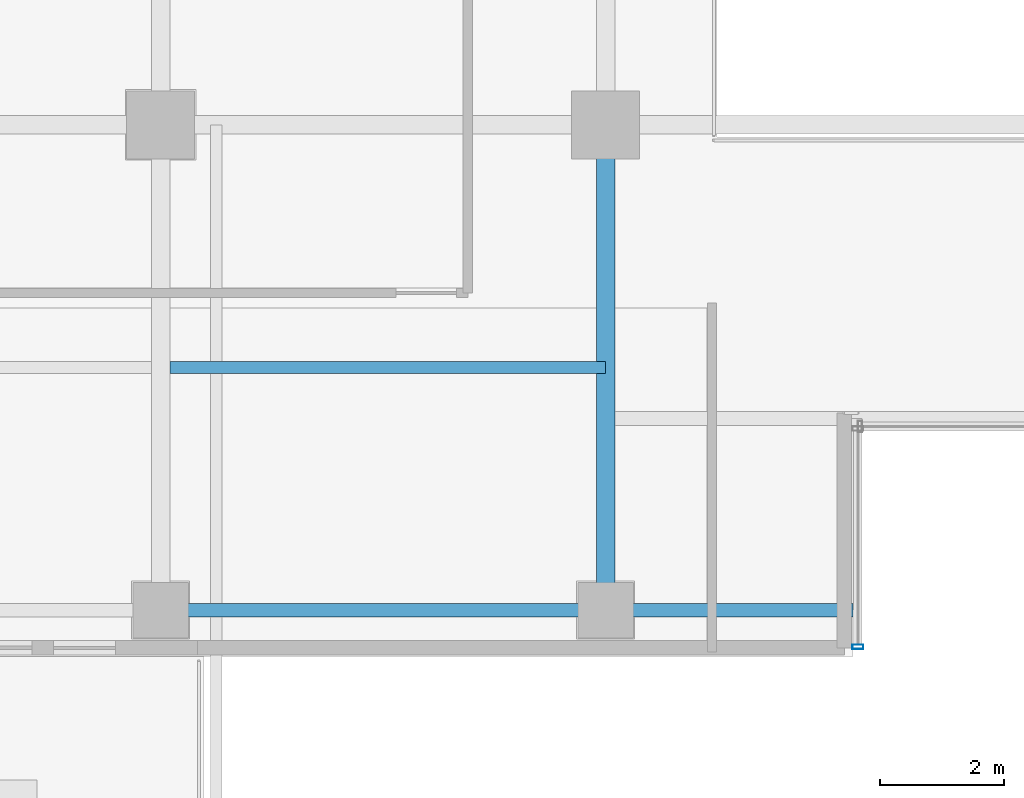
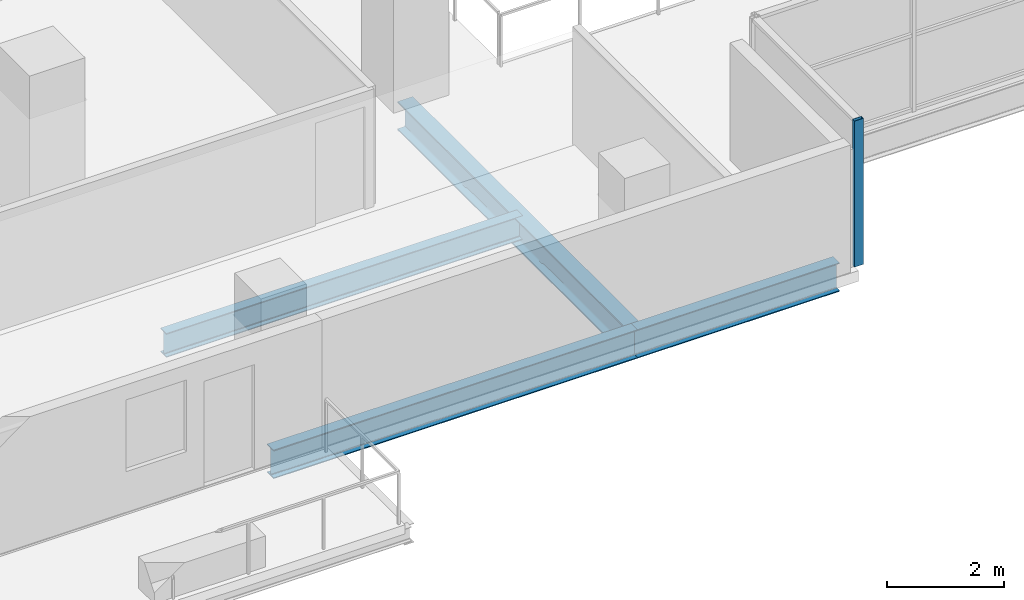
# One storey, part 5 of 28: 4 beams, 1 member, 1 element without a shape of its own.
"""IFC4 building model written with IfcOpenShell, lengths in metres."""

from ifc_helpers import new_model, si_unit, direction, frame, origin, origin_2d, place, context, subcontext, project, spatial, hollow_rectangle, i_section, extrude, source, transform, mapped, material, layer, layer_set, material_profile, profile_set, type_object, element, aggregate, save


model = new_model("IFC4")

# Units and contexts
model_context = context("Model", 3, precision=1e-05, world=origin(), true_north=direction((0.0, 1.0)))
body_context = subcontext(model_context, "Body", "Model", "MODEL_VIEW")
ifc_project = project(units=[si_unit("LENGTHUNIT", "METRE"), si_unit("AREAUNIT", "SQUARE_METRE"), si_unit("VOLUMEUNIT", "CUBIC_METRE"), si_unit("PLANEANGLEUNIT", "RADIAN"), si_unit("MASSUNIT", "GRAM", prefix="KILO")], contexts=[model_context])

# Site, building, storey
site_placement = place(None, origin())
site = spatial("IfcSite", under=ifc_project, at=site_placement, CompositionType="ELEMENT")
building_placement = place(site_placement, origin())
building = spatial("IfcBuilding", under=site, at=building_placement, Name="Zarnakvel Exchange Tower", CompositionType="ELEMENT")
storey_placement = place(building_placement, frame((0.0, 0.0, 57.10009765625)))
storey = spatial("IfcBuildingStorey", under=building, at=storey_placement, Name="L15", CompositionType="ELEMENT", Elevation=57.10009765625)

# Beams
ifc_material_1 = material(Name="Steel S355", Category="steel")
ifc_material_profile_1 = material_profile(ifc_material_1, i_section(OverallWidth=0.199951171875, OverallDepth=0.5, WebThickness=0.01025390625, FlangeThickness=0.01611328125, FilletRadius=0.02099609375, at=origin_2d()))
ifc_profile_set_1 = profile_set([ifc_material_profile_1], Name="Steel S355")
beam_type_1 = type_object("IfcBeamType", Name="B-04", PredefinedType="JOIST", material=ifc_profile_set_1)
beam_1_placement = place(storey_placement, frame((-14.25, -13.52490234375, -0.47509765625), z_axis=(1.0, 0.0, 0.0), x_axis=(0.0, 1.0, 0.0)))
element("IfcBeam", 1, at=beam_1_placement, inside=storey, type_object=beam_type_1, Name="L15 Composite Floor Secondary Joist", PredefinedType="JOIST", context=body_context, shape_type="SweptSolid", body=[
    extrude(i_section(OverallWidth=0.199951171875, OverallDepth=0.5, WebThickness=0.01025390625, FlangeThickness=0.01611328125, FilletRadius=0.02099609375, at=origin_2d()), origin(), (0.0, 0.0, 1.0), 7.050048828125),
])
ifc_material_profile_2 = material_profile(ifc_material_1, i_section(OverallWidth=0.300048828125, OverallDepth=0.60009765625, WebThickness=0.015380859375, FlangeThickness=0.030029296875, FilletRadius=0.027099609375, at=origin_2d()))
ifc_profile_set_2 = profile_set([ifc_material_profile_2], Name="Steel S355")
beam_type_2 = type_object("IfcBeamType", Name="G-04", PredefinedType="BEAM", material=ifc_profile_set_2)
beam_2_placement = place(storey_placement, frame((-7.199951171875, -17.449951171875, -0.525146484375), z_axis=(0.0, 1.0, 0.0), x_axis=(-1.0, 0.0, 0.0)))
element("IfcBeam", 2, at=beam_2_placement, inside=storey, type_object=beam_type_2, Name="L15 Tower N-S Frame Beam", PredefinedType="BEAM", context=body_context, shape_type="SweptSolid", body=[
    extrude(i_section(OverallWidth=0.300048828125, OverallDepth=0.60009765625, WebThickness=0.015380859375, FlangeThickness=0.030029296875, FilletRadius=0.027099609375, at=origin_2d()), origin(), (0.0, 0.0, 1.0), 7.849853515625),
])
ifc_material_profile_3 = material_profile(ifc_material_1, i_section(OverallWidth=0.219970703125, OverallDepth=0.60009765625, WebThickness=0.011962890625, FlangeThickness=0.01904296875, FilletRadius=0.02392578125, at=origin_2d()))
ifc_profile_set_3 = profile_set([ifc_material_profile_3], Name="Steel S355")
beam_type_3 = type_object("IfcBeamType", Name="SP-01", PredefinedType="SPANDREL", material=ifc_profile_set_3)
beam_3_placement = place(storey_placement, frame((-14.39990234375, -17.449951171875, -0.525146484375), z_axis=(1.0, 0.0, 0.0), x_axis=(0.0, 1.0, 0.0)))
element("IfcBeam", 3, at=beam_3_placement, inside=storey, type_object=beam_type_3, Name="L15 Tower E-W Frame Beam", PredefinedType="SPANDREL", context=body_context, shape_type="SweptSolid", body=[
    extrude(i_section(OverallWidth=0.219970703125, OverallDepth=0.60009765625, WebThickness=0.011962890625, FlangeThickness=0.01904296875, FilletRadius=0.02392578125, at=origin_2d()), origin(), (0.0, 0.0, 1.0), 7.199951171875),
])
beam_4_placement = place(storey_placement, frame((-7.199951171875, -17.449951171875, -0.525146484375), z_axis=(1.0, 0.0, 0.0), x_axis=(0.0, 1.0, 0.0)))
element("IfcBeam", 4, at=beam_4_placement, inside=storey, type_object=beam_type_3, Name="L15 South Slot West Jamb Spandrel", PredefinedType="SPANDREL", context=body_context, shape_type="SweptSolid", body=[
    extrude(i_section(OverallWidth=0.219970703125, OverallDepth=0.60009765625, WebThickness=0.011962890625, FlangeThickness=0.01904296875, FilletRadius=0.02392578125, at=origin_2d()), origin(), (0.0, 0.0, 1.0), 4.0),
])

# Curtain wall, member
ifc_material_2 = material(Name="Architectural Bronze Anodised Aluminium", Category="aluminium")
ifc_layer = layer(ifc_material_2, 0.179931640625)
ifc_layer_set = layer_set([ifc_layer], Name="Architectural Bronze Anodised Aluminium")
curtain_wall_type = type_object("IfcCurtainWallType", Name="CW-05", PredefinedType="NOTDEFINED", material=ifc_layer_set)
curtain_wall_placement = place(storey_placement, origin())
curtain_wall = element("IfcCurtainWall", 5, at=curtain_wall_placement, inside=storey, type_object=curtain_wall_type, Name="L15 Curtain Wall CW-L15-SLW (CW-05)", PredefinedType="NOTDEFINED")
ifc_material_profile_4 = material_profile(ifc_material_2, hollow_rectangle(XDim=0.179931640625, YDim=0.070068359375, WallThickness=0.00390625, at=origin_2d()))
ifc_profile_set_4 = profile_set([ifc_material_profile_4], Name="Architectural Bronze Anodised Aluminium")
member_type = type_object("IfcMemberType", Name="CWM-05", PredefinedType="MULLION", material=ifc_profile_set_4)
shared_shape = source(origin(), body_context, "Body", "SweptSolid", [
    extrude(hollow_rectangle(XDim=0.179931640625, YDim=0.070068359375, WallThickness=0.00390625, at=origin_2d()), origin(), (0.0, 0.0, 1.0), 3.054931640625),
])
member_placement = place(storey_placement, frame((-3.1201171875, -18.044921875, 0.0), z_axis=(0.0, 0.0, 1.0), x_axis=(-1.0, 0.0, 0.0)))
member = element("IfcMember", 6, at=member_placement, type_object=member_type, Name="CW-05 mullion 1", PredefinedType="MULLION", context=body_context, shape_type="MappedRepresentation", body=[
    mapped(shared_shape, transform((0.0, 0.0, 0.0), x_axis=(1.0, 0.0, 0.0), y_axis=(0.0, 1.0, 0.0), z_axis=(0.0, 0.0, 1.0), scale=1.0)),
])
aggregate(curtain_wall, [member])

save(model, "model.ifc")
